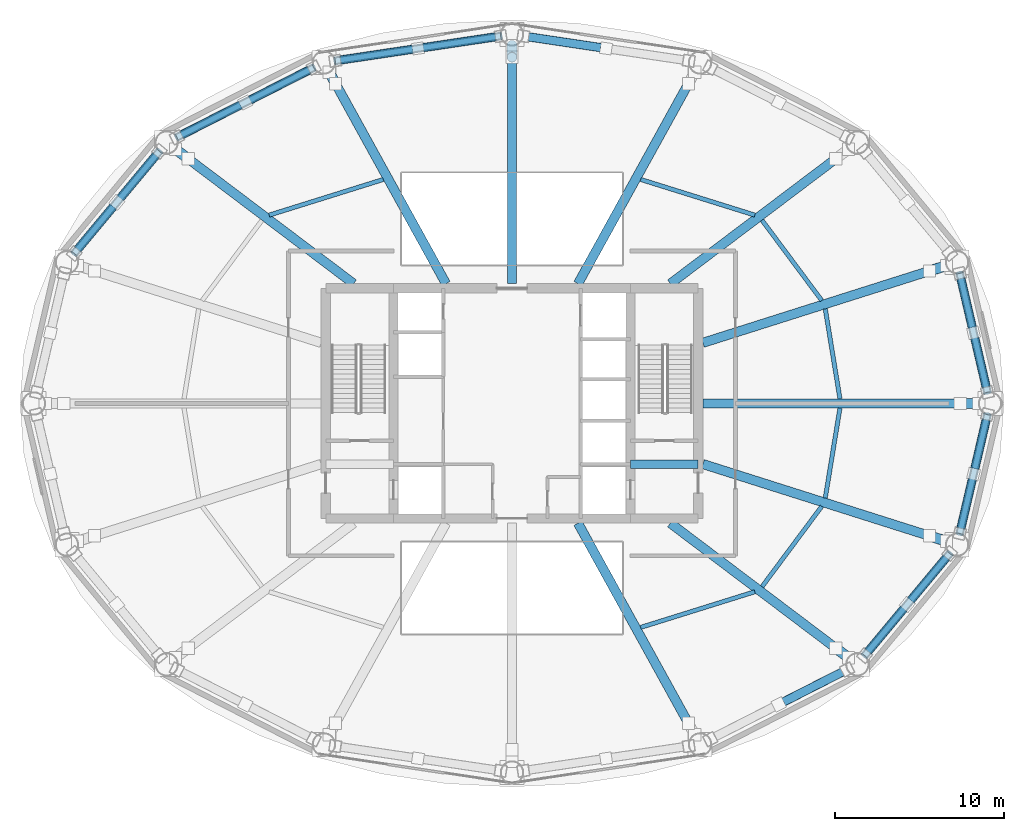
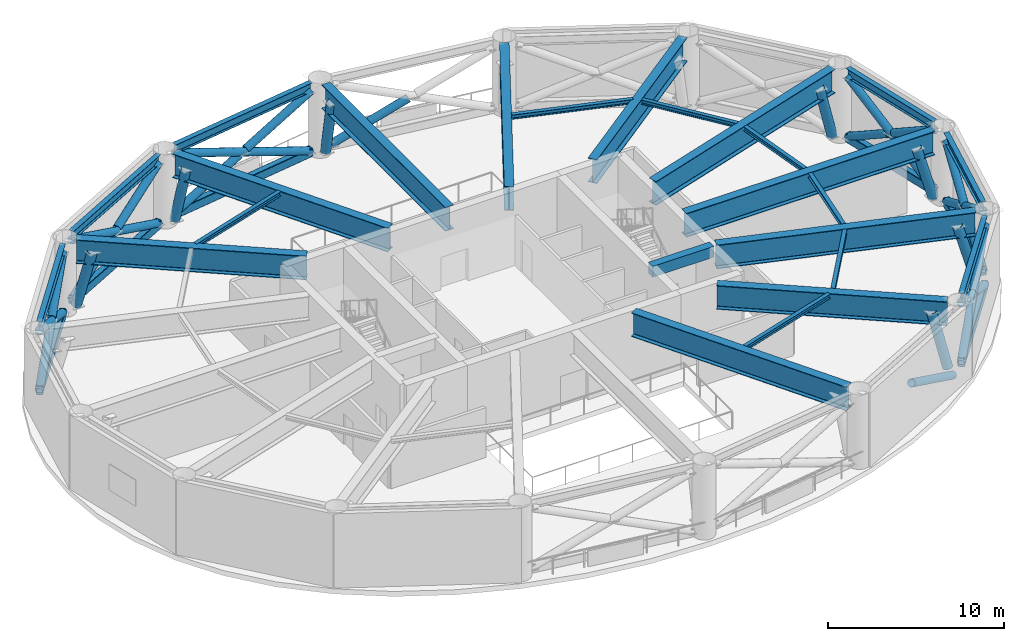
# One storey, part 2 of 8: 33 members, 24 beams.
"""IFC4 building model written with IfcOpenShell, lengths in metres."""

from ifc_helpers import new_model, si_unit, direction, frame, origin, origin_2d, place, context, subcontext, project, spatial, rectangle, hollow_rectangle, hollow_circle, i_section, extrude, material, material_profile, profile_set, type_object, element, save


model = new_model("IFC4")

# Units and contexts
model_context = context("Model", 3, precision=1e-05, world=origin(), true_north=direction((0.0, 1.0)))
body_context = subcontext(model_context, "Body", "Model", "MODEL_VIEW")
ifc_project = project(units=[si_unit("LENGTHUNIT", "METRE"), si_unit("AREAUNIT", "SQUARE_METRE"), si_unit("VOLUMEUNIT", "CUBIC_METRE"), si_unit("PLANEANGLEUNIT", "RADIAN"), si_unit("MASSUNIT", "GRAM", prefix="KILO")], contexts=[model_context])

# Site, building, storey
site_placement = place(None, origin())
site = spatial("IfcSite", under=ifc_project, at=site_placement, CompositionType="ELEMENT")
building_placement = place(site_placement, origin())
building = spatial("IfcBuilding", under=site, at=building_placement, Name="Sarneth Arch Tower", CompositionType="ELEMENT")
storey_placement = place(building_placement, frame((0.0, 0.0, 145.199951171875)))
storey = spatial("IfcBuildingStorey", under=building, at=storey_placement, Name="L36", CompositionType="ELEMENT", Elevation=145.199951171875)

# Beams
ifc_material_1 = material(Name="Steel S355", Category="steel")
ifc_material_profile_1 = material_profile(ifc_material_1, i_section(OverallWidth=0.25390625, OverallDepth=0.305908203125, WebThickness=0.0087890625, FlangeThickness=0.0146484375, FilletRadius=0.014892578125, at=origin_2d()), Name="W310x79")
ifc_profile_set_1 = profile_set([ifc_material_profile_1], Name="Steel S355")
beam_type_1 = type_object("IfcBeamType", Name="BM-JOIST-310A", PredefinedType="JOIST", material=ifc_profile_set_1)
beam_1_placement = place(storey_placement, frame((67.3740234375, 42.271484375, 4.9970703125), z_axis=(-0.161201265752, 0.986921553073, 0.0), x_axis=(-0.986921553073, -0.161201265752, 0.0)))
element("IfcBeam", 1, at=beam_1_placement, inside=storey, type_object=beam_type_1, Name="L36 Secondary floor joist 01", PredefinedType="JOIST", context=body_context, shape_type="SweptSolid", body=[
    extrude(i_section(OverallWidth=0.25390625, OverallDepth=0.305908203125, WebThickness=0.0087890625, FlangeThickness=0.0146484375, FilletRadius=0.014892578125, at=origin_2d()), origin(), (0.0, 0.0, 1.0), 5.38720703125),
])
beam_2_placement = place(storey_placement, frame((66.29736328125, 48.080078125, 4.9970703125), z_axis=(-0.596781909814, 0.802403484613, 0.0), x_axis=(-0.802403484613, -0.596781909814, 0.0)))
element("IfcBeam", 2, at=beam_2_placement, inside=storey, type_object=beam_type_1, Name="L36 Secondary floor joist 02", PredefinedType="JOIST", context=body_context, shape_type="SweptSolid", body=[
    extrude(i_section(OverallWidth=0.25390625, OverallDepth=0.305908203125, WebThickness=0.0087890625, FlangeThickness=0.0146484375, FilletRadius=0.014892578125, at=origin_2d()), origin(), (0.0, 0.0, 1.0), 5.908203125),
])
for number, where, z_axis, x_axis, name in (
    (3, (62.344970703125, 53.12353515625, 4.9970703125), (-0.954477517683, 0.298282866148, 0.0), (-0.298282866148, -0.954477517683, 0.0), "L36 Secondary floor joist 03"),
    (4, (40.396240234375, 55.230224609375, 4.9970703125), (-0.954477517683, -0.298282866148, 0.0), (0.298282866148, -0.954477517683, 0.0), "L36 Secondary floor joist 06"),
    (5, (55.603759765625, 28.769775390625, 4.9970703125), (0.954477517683, 0.298282866148, 0.0), (-0.298282866148, 0.954477517683, 0.0), "L36 Secondary floor joist 14"),
):
    element("IfcBeam", number, at=place(storey_placement, frame(where, z_axis=z_axis, x_axis=x_axis)), inside=storey, type_object=beam_type_1, Name=name, PredefinedType="JOIST", context=body_context, shape_type="SweptSolid", body=[
        extrude(i_section(OverallWidth=0.25390625, OverallDepth=0.305908203125, WebThickness=0.0087890625, FlangeThickness=0.0146484375, FilletRadius=0.014892578125, at=origin_2d()), origin(), (0.0, 0.0, 1.0), 7.062744140625),
    ])
beam_3_placement = place(storey_placement, frame((62.771484375, 31.17919921875, 4.9970703125), z_axis=(0.596781909814, 0.802403484613, 0.0), x_axis=(-0.802403484613, 0.596781909814, 0.0)))
element("IfcBeam", 6, at=beam_3_placement, inside=storey, type_object=beam_type_1, Name="L36 Secondary floor joist 15", PredefinedType="JOIST", context=body_context, shape_type="SweptSolid", body=[
    extrude(i_section(OverallWidth=0.25390625, OverallDepth=0.305908203125, WebThickness=0.0087890625, FlangeThickness=0.0146484375, FilletRadius=0.014892578125, at=origin_2d()), origin(), (0.0, 0.0, 1.0), 5.908203125),
])
beam_4_placement = place(storey_placement, frame((66.505615234375, 36.411865234375, 4.9970703125), z_axis=(0.161201265752, 0.986921553073, 0.0), x_axis=(-0.986921553073, 0.161201265752, 0.0)))
element("IfcBeam", 7, at=beam_4_placement, inside=storey, type_object=beam_type_1, Name="L36 Secondary floor joist 16", PredefinedType="JOIST", context=body_context, shape_type="SweptSolid", body=[
    extrude(i_section(OverallWidth=0.25390625, OverallDepth=0.305908203125, WebThickness=0.0087890625, FlangeThickness=0.0146484375, FilletRadius=0.014892578125, at=origin_2d()), origin(), (0.0, 0.0, 1.0), 5.38720703125),
])
ifc_material_2 = material(Name="Concrete C50/60", Category="concrete")
ifc_material_profile_2 = material_profile(ifc_material_2, rectangle(XDim=0.5, YDim=0.75, at=origin_2d()), Name="RC-500x750")
ifc_profile_set_2 = profile_set([ifc_material_profile_2], Name="Concrete C50/60")
beam_type_2 = type_object("IfcBeamType", Name="BM-LINTEL-RC", PredefinedType="LINTEL", material=ifc_profile_set_2)
beam_5_placement = place(storey_placement, frame((55.0, 38.39990234375, 4.775146484375), z_axis=(1.0, 0.0, 0.0), x_axis=(0.0, 1.0, 0.0)))
element("IfcBeam", 8, at=beam_5_placement, inside=storey, type_object=beam_type_2, Name="L36 Core coupling lintel E", PredefinedType="LINTEL", context=body_context, shape_type="SweptSolid", body=[
    extrude(rectangle(XDim=0.5, YDim=0.75, at=origin_2d()), origin(), (0.0, 0.0, 1.0), 4.0),
])
ifc_material_3 = material(Name="Steel S355", Category="steel")
ifc_material_profile_3 = material_profile(ifc_material_3, i_section(OverallWidth=0.323974609375, OverallDepth=0.611083984375, WebThickness=0.0126953125, FlangeThickness=0.01904296875, FilletRadius=0.01904296875, at=origin_2d()), Name="W610x155")
ifc_profile_set_3 = profile_set([ifc_material_profile_3], Name="Steel S355")
beam_type_3 = type_object("IfcBeamType", Name="BM-SPAN-610B", PredefinedType="SPANDREL", material=ifc_profile_set_3)
beam_6_placement = place(storey_placement, frame((76.083251953125, 42.657470703125, 4.844482421875), z_axis=(-0.22708522689, 0.973874889156, 0.0), x_axis=(-0.973874889156, -0.22708522689, 0.0)))
element("IfcBeam", 9, at=beam_6_placement, inside=storey, type_object=beam_type_3, Name="L36 Perimeter spandrel beam 01", PredefinedType="SPANDREL", context=body_context, shape_type="SweptSolid", body=[
    extrude(i_section(OverallWidth=0.323974609375, OverallDepth=0.611083984375, WebThickness=0.0126953125, FlangeThickness=0.01904296875, FilletRadius=0.01904296875, at=origin_2d()), origin(), (0.0, 0.0, 1.0), 7.216064453125),
])
beam_7_placement = place(storey_placement, frame((47.33251953125, 63.7001953125, 4.844482421875), z_axis=(-0.989029828744, -0.147715936359, 0.0), x_axis=(0.147715936359, -0.989029828744, 0.0)))
element("IfcBeam", 10, at=beam_7_placement, inside=storey, type_object=beam_type_3, Name="L36 Perimeter spandrel beam 05", PredefinedType="SPANDREL", context=body_context, shape_type="SweptSolid", body=[
    extrude(i_section(OverallWidth=0.323974609375, OverallDepth=0.611083984375, WebThickness=0.0126953125, FlangeThickness=0.01904296875, FilletRadius=0.01904296875, at=origin_2d()), origin(), (0.0, 0.0, 1.0), 9.883544921875),
])
beam_8_placement = place(storey_placement, frame((36.2880859375, 61.83447265625, 4.844482421875), z_axis=(-0.891255891792, -0.453500755619, 0.0), x_axis=(0.453500755619, -0.891255891792, 0.0)))
element("IfcBeam", 11, at=beam_8_placement, inside=storey, type_object=beam_type_3, Name="L36 Perimeter spandrel beam 06", PredefinedType="SPANDREL", context=body_context, shape_type="SweptSolid", body=[
    extrude(i_section(OverallWidth=0.323974609375, OverallDepth=0.611083984375, WebThickness=0.0126953125, FlangeThickness=0.01904296875, FilletRadius=0.01904296875, at=origin_2d()), origin(), (0.0, 0.0, 1.0), 9.070556640625),
])
for number, where, z_axis, x_axis, name in (
    (12, (27.170166015625, 56.896484375, 4.844482421875), (-0.640169116175, -0.768234015581, 0.0), (0.768234015581, -0.640169116175, 0.0), "L36 Perimeter spandrel beam 07"),
    (13, (68.829833984375, 27.103515625, 4.844482421875), (0.640169116175, 0.768234015581, 0.0), (-0.768234015581, 0.640169116175, 0.0), "L36 Perimeter spandrel beam 15"),
):
    element("IfcBeam", number, at=place(storey_placement, frame(where, z_axis=z_axis, x_axis=x_axis)), inside=storey, type_object=beam_type_3, Name=name, PredefinedType="SPANDREL", context=body_context, shape_type="SweptSolid", body=[
        extrude(i_section(OverallWidth=0.323974609375, OverallDepth=0.611083984375, WebThickness=0.0126953125, FlangeThickness=0.01904296875, FilletRadius=0.01904296875, at=origin_2d()), origin(), (0.0, 0.0, 1.0), 7.856201171875),
    ])
beam_9_placement = place(storey_placement, frame((74.444580078125, 34.31494140625, 4.844482421875), z_axis=(0.22708522689, 0.973874889156, 0.0), x_axis=(-0.973874889156, 0.22708522689, 0.0)))
element("IfcBeam", 14, at=beam_9_placement, inside=storey, type_object=beam_type_3, Name="L36 Perimeter spandrel beam 16", PredefinedType="SPANDREL", context=body_context, shape_type="SweptSolid", body=[
    extrude(i_section(OverallWidth=0.323974609375, OverallDepth=0.611083984375, WebThickness=0.0126953125, FlangeThickness=0.01904296875, FilletRadius=0.01904296875, at=origin_2d()), origin(), (0.0, 0.0, 1.0), 7.216064453125),
])
ifc_material_4 = material(Name="Steel S355", Category="steel")
ifc_material_profile_4 = material_profile(ifc_material_4, i_section(OverallWidth=0.550048828125, OverallDepth=1.64990234375, WebThickness=0.02197265625, FlangeThickness=0.0380859375, FilletRadius=0.02392578125, at=origin_2d()), Name="CVS1650x680")
ifc_profile_set_4 = profile_set([ifc_material_profile_4], Name="Steel S355")
beam_type_4 = type_object("IfcBeamType", Name="BM-XFER-1650", PredefinedType="BEAM", material=ifc_profile_set_4)
beam_10_placement = place(storey_placement, frame((59.27490234375, 42.0, 4.324951171875), z_axis=(1.0, 0.0, 0.0), x_axis=(0.0, 1.0, 0.0)))
element("IfcBeam", 15, at=beam_10_placement, inside=storey, type_object=beam_type_4, Name="L36 Step-taper transfer girder 01", PredefinedType="BEAM", context=body_context, shape_type="SweptSolid", body=[
    extrude(i_section(OverallWidth=0.550048828125, OverallDepth=1.64990234375, WebThickness=0.02197265625, FlangeThickness=0.0380859375, FilletRadius=0.02392578125, at=origin_2d()), origin(), (0.0, 0.0, 1.0), 16.28662109375),
])
beam_11_placement = place(storey_placement, frame((59.27490234375, 45.580322265625, 4.324951171875), z_axis=(0.953213910786, 0.30229660978, 0.0), x_axis=(-0.30229660978, 0.953213910786, 0.0)))
element("IfcBeam", 16, at=beam_11_placement, inside=storey, type_object=beam_type_4, Name="L36 Step-taper transfer girder 02", PredefinedType="BEAM", context=body_context, shape_type="SweptSolid", body=[
    extrude(i_section(OverallWidth=0.550048828125, OverallDepth=1.64990234375, WebThickness=0.02197265625, FlangeThickness=0.0380859375, FilletRadius=0.02392578125, at=origin_2d()), origin(), (0.0, 0.0, 1.0), 15.078369140625),
])
beam_12_placement = place(storey_placement, frame((57.355712890625, 49.074951171875, 4.324951171875), z_axis=(0.797970005378, 0.60269716319, 0.0), x_axis=(-0.60269716319, 0.797970005378, 0.0)))
element("IfcBeam", 17, at=beam_12_placement, inside=storey, type_object=beam_type_4, Name="L36 Step-taper transfer girder 03", PredefinedType="BEAM", context=body_context, shape_type="SweptSolid", body=[
    extrude(i_section(OverallWidth=0.550048828125, OverallDepth=1.64990234375, WebThickness=0.02197265625, FlangeThickness=0.0380859375, FilletRadius=0.02392578125, at=origin_2d()), origin(), (0.0, 0.0, 1.0), 13.16259765625),
])
beam_13_placement = place(storey_placement, frame((51.898681640625, 49.074951171875, 4.324951171875), z_axis=(0.483236322363, 0.875489952397, 0.0), x_axis=(-0.875489952397, 0.483236322363, 0.0)))
element("IfcBeam", 18, at=beam_13_placement, inside=storey, type_object=beam_type_4, Name="L36 Step-taper transfer girder 04", PredefinedType="BEAM", context=body_context, shape_type="SweptSolid", body=[
    extrude(i_section(OverallWidth=0.550048828125, OverallDepth=1.64990234375, WebThickness=0.02197265625, FlangeThickness=0.0380859375, FilletRadius=0.02392578125, at=origin_2d()), origin(), (0.0, 0.0, 1.0), 14.248779296875),
])
beam_14_placement = place(storey_placement, frame((48.0, 49.074951171875, 4.324951171875), z_axis=(0.0, 1.0, 0.0), x_axis=(-1.0, 0.0, 0.0)))
element("IfcBeam", 19, at=beam_14_placement, inside=storey, type_object=beam_type_4, Name="L36 Step-taper transfer girder 05", PredefinedType="BEAM", context=body_context, shape_type="SweptSolid", body=[
    extrude(i_section(OverallWidth=0.550048828125, OverallDepth=1.64990234375, WebThickness=0.02197265625, FlangeThickness=0.0380859375, FilletRadius=0.02392578125, at=origin_2d()), origin(), (0.0, 0.0, 1.0), 14.050048828125),
])
beam_15_placement = place(storey_placement, frame((44.101318359375, 49.074951171875, 4.324951171875), z_axis=(-0.483236322363, 0.875489952397, 0.0), x_axis=(-0.875489952397, -0.483236322363, 0.0)))
element("IfcBeam", 20, at=beam_15_placement, inside=storey, type_object=beam_type_4, Name="L36 Step-taper transfer girder 06", PredefinedType="BEAM", context=body_context, shape_type="SweptSolid", body=[
    extrude(i_section(OverallWidth=0.550048828125, OverallDepth=1.64990234375, WebThickness=0.02197265625, FlangeThickness=0.0380859375, FilletRadius=0.02392578125, at=origin_2d()), origin(), (0.0, 0.0, 1.0), 14.248779296875),
])
beam_16_placement = place(storey_placement, frame((38.644287109375, 49.074951171875, 4.324951171875), z_axis=(-0.797970005378, 0.60269716319, 0.0), x_axis=(-0.60269716319, -0.797970005378, 0.0)))
element("IfcBeam", 21, at=beam_16_placement, inside=storey, type_object=beam_type_4, Name="L36 Step-taper transfer girder 07", PredefinedType="BEAM", context=body_context, shape_type="SweptSolid", body=[
    extrude(i_section(OverallWidth=0.550048828125, OverallDepth=1.64990234375, WebThickness=0.02197265625, FlangeThickness=0.0380859375, FilletRadius=0.02392578125, at=origin_2d()), origin(), (0.0, 0.0, 1.0), 13.16259765625),
])
beam_17_placement = place(storey_placement, frame((51.898681640625, 34.925048828125, 4.324951171875), z_axis=(0.483236322363, -0.875489952397, 0.0), x_axis=(0.875489952397, 0.483236322363, 0.0)))
element("IfcBeam", 22, at=beam_17_placement, inside=storey, type_object=beam_type_4, Name="L36 Step-taper transfer girder 14", PredefinedType="BEAM", context=body_context, shape_type="SweptSolid", body=[
    extrude(i_section(OverallWidth=0.550048828125, OverallDepth=1.64990234375, WebThickness=0.02197265625, FlangeThickness=0.0380859375, FilletRadius=0.02392578125, at=origin_2d()), origin(), (0.0, 0.0, 1.0), 14.248779296875),
])
beam_18_placement = place(storey_placement, frame((57.355712890625, 34.925048828125, 4.324951171875), z_axis=(0.797970005378, -0.60269716319, 0.0), x_axis=(0.60269716319, 0.797970005378, 0.0)))
element("IfcBeam", 23, at=beam_18_placement, inside=storey, type_object=beam_type_4, Name="L36 Step-taper transfer girder 15", PredefinedType="BEAM", context=body_context, shape_type="SweptSolid", body=[
    extrude(i_section(OverallWidth=0.550048828125, OverallDepth=1.64990234375, WebThickness=0.02197265625, FlangeThickness=0.0380859375, FilletRadius=0.02392578125, at=origin_2d()), origin(), (0.0, 0.0, 1.0), 13.16259765625),
])
beam_19_placement = place(storey_placement, frame((59.27490234375, 38.419677734375, 4.324951171875), z_axis=(0.953213910786, -0.30229660978, 0.0), x_axis=(0.30229660978, 0.953213910786, 0.0)))
element("IfcBeam", 24, at=beam_19_placement, inside=storey, type_object=beam_type_4, Name="L36 Step-taper transfer girder 16", PredefinedType="BEAM", context=body_context, shape_type="SweptSolid", body=[
    extrude(i_section(OverallWidth=0.550048828125, OverallDepth=1.64990234375, WebThickness=0.02197265625, FlangeThickness=0.0380859375, FilletRadius=0.02392578125, at=origin_2d()), origin(), (0.0, 0.0, 1.0), 15.078369140625),
])

# Members
ifc_material_5 = material(Name="Steel S355", Category="steel")
ifc_material_profile_5 = material_profile(ifc_material_5, hollow_rectangle(XDim=0.39990234375, YDim=0.60009765625, WallThickness=0.02197265625, InnerFilletRadius=0.032958984375, OuterFilletRadius=0.054931640625, at=origin_2d()), Name="RHS600x400x22")
ifc_profile_set_5 = profile_set([ifc_material_profile_5], Name="Steel S355")
member_type_1 = type_object("IfcMemberType", Name="MEM-BELT-CHORD", PredefinedType="CHORD", material=ifc_profile_set_5)
member_1_placement = place(storey_placement, frame((76.083251953125, 42.657470703125, 0.35009765625), z_axis=(-0.22708522689, 0.973874889156, 0.0), x_axis=(-0.973874889156, -0.22708522689, 0.0)))
element("IfcMember", 25, at=member_1_placement, inside=storey, type_object=member_type_1, Name="L36 Ring belt bottom chord 01", PredefinedType="CHORD", context=body_context, shape_type="SweptSolid", body=[
    extrude(hollow_rectangle(XDim=0.39990234375, YDim=0.60009765625, WallThickness=0.02197265625, InnerFilletRadius=0.032958984375, OuterFilletRadius=0.054931640625, at=origin_2d()), origin(), (0.0, 0.0, 1.0), 7.216064453125),
])
member_2_placement = place(storey_placement, frame((47.33251953125, 63.7001953125, 0.35009765625), z_axis=(-0.989029828744, -0.147715936359, 0.0), x_axis=(0.147715936359, -0.989029828744, 0.0)))
element("IfcMember", 26, at=member_2_placement, inside=storey, type_object=member_type_1, Name="L36 Ring belt bottom chord 05", PredefinedType="CHORD", context=body_context, shape_type="SweptSolid", body=[
    extrude(hollow_rectangle(XDim=0.39990234375, YDim=0.60009765625, WallThickness=0.02197265625, InnerFilletRadius=0.032958984375, OuterFilletRadius=0.054931640625, at=origin_2d()), origin(), (0.0, 0.0, 1.0), 9.883544921875),
])
member_3_placement = place(storey_placement, frame((36.2880859375, 61.83447265625, 0.35009765625), z_axis=(-0.891255891792, -0.453500755619, 0.0), x_axis=(0.453500755619, -0.891255891792, 0.0)))
element("IfcMember", 27, at=member_3_placement, inside=storey, type_object=member_type_1, Name="L36 Ring belt bottom chord 06", PredefinedType="CHORD", context=body_context, shape_type="SweptSolid", body=[
    extrude(hollow_rectangle(XDim=0.39990234375, YDim=0.60009765625, WallThickness=0.02197265625, InnerFilletRadius=0.032958984375, OuterFilletRadius=0.054931640625, at=origin_2d()), origin(), (0.0, 0.0, 1.0), 9.070556640625),
])
for number, where, z_axis, x_axis, name in (
    (28, (27.170166015625, 56.896484375, 0.35009765625), (-0.640169116175, -0.768234015581, 0.0), (0.768234015581, -0.640169116175, 0.0), "L36 Ring belt bottom chord 07"),
    (29, (68.829833984375, 27.103515625, 0.35009765625), (0.640169116175, 0.768234015581, 0.0), (-0.768234015581, 0.640169116175, 0.0), "L36 Ring belt bottom chord 15"),
):
    element("IfcMember", number, at=place(storey_placement, frame(where, z_axis=z_axis, x_axis=x_axis)), inside=storey, type_object=member_type_1, Name=name, PredefinedType="CHORD", context=body_context, shape_type="SweptSolid", body=[
        extrude(hollow_rectangle(XDim=0.39990234375, YDim=0.60009765625, WallThickness=0.02197265625, InnerFilletRadius=0.032958984375, OuterFilletRadius=0.054931640625, at=origin_2d()), origin(), (0.0, 0.0, 1.0), 7.856201171875),
    ])
member_4_placement = place(storey_placement, frame((74.444580078125, 34.31494140625, 0.35009765625), z_axis=(0.22708522689, 0.973874889156, 0.0), x_axis=(-0.973874889156, 0.22708522689, 0.0)))
element("IfcMember", 30, at=member_4_placement, inside=storey, type_object=member_type_1, Name="L36 Ring belt bottom chord 16", PredefinedType="CHORD", context=body_context, shape_type="SweptSolid", body=[
    extrude(hollow_rectangle(XDim=0.39990234375, YDim=0.60009765625, WallThickness=0.02197265625, InnerFilletRadius=0.032958984375, OuterFilletRadius=0.054931640625, at=origin_2d()), origin(), (0.0, 0.0, 1.0), 7.216064453125),
])
ifc_material_6 = material(Name="Steel S355", Category="steel")
ifc_material_profile_6 = material_profile(ifc_material_6, hollow_circle(Radius=0.304931640625, WallThickness=0.02001953125, at=origin_2d()), Name="CHS610x20")
ifc_profile_set_6 = profile_set([ifc_material_profile_6], Name="Steel S355")
member_type_2 = type_object("IfcMemberType", Name="MEM-BELT-DIAG1", PredefinedType="BRACE", material=ifc_profile_set_6)
member_5_placement = place(storey_placement, frame((75.58154296875, 42.0, 0.449951171875), z_axis=(-0.277277044453, 0.0, 0.960790008597), x_axis=(0.0, -1.0, 0.0)))
element("IfcMember", 31, at=member_5_placement, inside=storey, type_object=member_type_2, Name="L36 Step-taper inclined transfer strut 01", PredefinedType="BRACE", context=body_context, shape_type="SweptSolid", body=[
    extrude(hollow_circle(Radius=0.304931640625, WallThickness=0.02001953125, at=origin_2d()), origin(), (0.0, 0.0, 1.0), 3.947265625),
])
member_6_placement = place(storey_placement, frame((73.666748046875, 50.14453125, 0.449951171875), z_axis=(-0.255230227576, -0.080941785416, 0.963486356055), x_axis=(0.302295197577, -0.953214358642, 0.0)))
element("IfcMember", 32, at=member_6_placement, inside=storey, type_object=member_type_2, Name="L36 Step-taper inclined transfer strut 02", PredefinedType="BRACE", context=body_context, shape_type="SweptSolid", body=[
    extrude(hollow_circle(Radius=0.304931640625, WallThickness=0.02001953125, at=origin_2d()), origin(), (0.0, 0.0, 1.0), 3.936279296875),
])
member_7_placement = place(storey_placement, frame((48.0, 63.14501953125, 0.449951171875), z_axis=(0.0, -0.180272733501, 0.983616663928), x_axis=(1.0, 0.0, 0.0)))
element("IfcMember", 33, at=member_7_placement, inside=storey, type_object=member_type_2, Name="L36 Step-taper inclined transfer strut 05", PredefinedType="BRACE", context=body_context, shape_type="SweptSolid", body=[
    extrude(hollow_circle(Radius=0.304931640625, WallThickness=0.02001953125, at=origin_2d()), origin(), (0.0, 0.0, 1.0), 3.855712890625),
])
member_8_placement = place(storey_placement, frame((37.206298828125, 61.567138671875, 0.449951171875), z_axis=(0.096084544586, -0.174125635626, 0.980024501382), x_axis=(0.875545294298, 0.483136044643, 0.0)))
element("IfcMember", 34, at=member_8_placement, inside=storey, type_object=member_type_2, Name="L36 Step-taper inclined transfer strut 06", PredefinedType="BRACE", context=body_context, shape_type="SweptSolid", body=[
    extrude(hollow_circle(Radius=0.304931640625, WallThickness=0.02001953125, at=origin_2d()), origin(), (0.0, 0.0, 1.0), 3.869873046875),
])
for number, where, z_axis, x_axis, name in (
    (35, (28.125, 57.020263671875, 0.449951171875), (0.189831474095, -0.143374034948, 0.971291870421), (0.602688067881, 0.797976874874, 0.0), "L36 Step-taper inclined transfer strut 07"),
    (36, (67.875, 26.979736328125, 0.449951171875), (-0.189831474095, 0.143374034948, 0.971291870421), (-0.602688067881, -0.797976874874, 0.0), "L36 Step-taper inclined transfer strut 15"),
):
    element("IfcMember", number, at=place(storey_placement, frame(where, z_axis=z_axis, x_axis=x_axis)), inside=storey, type_object=member_type_2, Name=name, PredefinedType="BRACE", context=body_context, shape_type="SweptSolid", body=[
        extrude(hollow_circle(Radius=0.304931640625, WallThickness=0.02001953125, at=origin_2d()), origin(), (0.0, 0.0, 1.0), 3.904541015625),
    ])
member_9_placement = place(storey_placement, frame((73.666748046875, 33.85546875, 0.449951171875), z_axis=(-0.255230227576, 0.080941785416, 0.963486356055), x_axis=(-0.302295197577, -0.953214358642, 0.0)))
element("IfcMember", 37, at=member_9_placement, inside=storey, type_object=member_type_2, Name="L36 Step-taper inclined transfer strut 16", PredefinedType="BRACE", context=body_context, shape_type="SweptSolid", body=[
    extrude(hollow_circle(Radius=0.304931640625, WallThickness=0.02001953125, at=origin_2d()), origin(), (0.0, 0.0, 1.0), 3.936279296875),
])
ifc_material_7 = material(Name="Steel S355", Category="steel")
ifc_material_profile_7 = material_profile(ifc_material_7, hollow_circle(Radius=0.25390625, WallThickness=0.01611328125, at=origin_2d()), Name="CHS508x16")
ifc_profile_set_7 = profile_set([ifc_material_profile_7], Name="Steel S355")
member_type_3 = type_object("IfcMemberType", Name="MEM-BELT-DIAG2", PredefinedType="BRACE", material=ifc_profile_set_7)
member_10_placement = place(storey_placement, frame((76.083251953125, 42.657470703125, 0.35009765625), z_axis=(-0.196629444364, 0.843262597738, 0.500244992843), x_axis=(-0.973874889156, -0.22708522689, 0.0)))
element("IfcMember", 38, at=member_10_placement, inside=storey, type_object=member_type_3, Name="L36 Ring belt continuous diagonal A01", PredefinedType="BRACE", context=body_context, shape_type="SweptSolid", body=[
    extrude(hollow_circle(Radius=0.25390625, WallThickness=0.01611328125, at=origin_2d()), origin(), (0.0, 0.0, 1.0), 8.333740234375),
])
for number, where, z_axis, x_axis, name in (
    (39, (74.444580078125, 49.68505859375, 0.35009765625), (0.196648781905, -0.843252415337, 0.500254555806), (0.973869343479, 0.227109008698, 0.0), "L36 Ring belt split diagonal B1-01"),
    (40, (75.31298828125, 45.96044921875, 2.5595703125), (0.196648781905, -0.843252415337, 0.500254555806), (0.973869343479, 0.227109008698, 0.0), "L36 Ring belt split diagonal B2-01"),
):
    element("IfcMember", number, at=place(storey_placement, frame(where, z_axis=z_axis, x_axis=x_axis)), inside=storey, type_object=member_type_3, Name=name, PredefinedType="BRACE", context=body_context, shape_type="SweptSolid", body=[
        extrude(hollow_circle(Radius=0.25390625, WallThickness=0.01611328125, at=origin_2d()), origin(), (0.0, 0.0, 1.0), 3.9169921875),
    ])
member_11_placement = place(storey_placement, frame((48.66748046875, 63.7001953125, 0.35009765625), z_axis=(0.911288731518, -0.136070251209, 0.388635735032), x_axis=(0.147679085035, 0.989035331949, 0.0)))
element("IfcMember", 41, at=member_11_placement, inside=storey, type_object=member_type_3, Name="L36 Ring belt split diagonal B1-04", PredefinedType="BRACE", context=body_context, shape_type="SweptSolid", body=[
    extrude(hollow_circle(Radius=0.25390625, WallThickness=0.01611328125, at=origin_2d()), origin(), (0.0, 0.0, 1.0), 5.113525390625),
])
member_12_placement = place(storey_placement, frame((47.33251953125, 63.7001953125, 0.35009765625), z_axis=(-0.91127929484, -0.136103553614, 0.388646200921), x_axis=(0.147715936359, -0.989029828744, 0.0)))
element("IfcMember", 42, at=member_12_placement, inside=storey, type_object=member_type_3, Name="L36 Ring belt continuous diagonal A05", PredefinedType="BRACE", context=body_context, shape_type="SweptSolid", body=[
    extrude(hollow_circle(Radius=0.25390625, WallThickness=0.01611328125, at=origin_2d()), origin(), (0.0, 0.0, 1.0), 10.726806640625),
])
member_13_placement = place(storey_placement, frame((37.557373046875, 62.240234375, 0.35009765625), z_axis=(0.911274714208, 0.136123033124, 0.388650119127), x_axis=(-0.147737342868, 0.989026631351, 0.0)))
element("IfcMember", 43, at=member_13_placement, inside=storey, type_object=member_type_3, Name="L36 Ring belt split diagonal B1-05", PredefinedType="BRACE", context=body_context, shape_type="SweptSolid", body=[
    extrude(hollow_circle(Radius=0.25390625, WallThickness=0.01611328125, at=origin_2d()), origin(), (0.0, 0.0, 1.0), 5.11328125),
])
member_14_placement = place(storey_placement, frame((42.672607421875, 63.00439453125, 2.53173828125), z_axis=(0.911288731518, 0.136070251209, 0.388635735032), x_axis=(-0.147679085035, 0.989035331949, 0.0)))
element("IfcMember", 44, at=member_14_placement, inside=storey, type_object=member_type_3, Name="L36 Ring belt split diagonal B2-05", PredefinedType="BRACE", context=body_context, shape_type="SweptSolid", body=[
    extrude(hollow_circle(Radius=0.25390625, WallThickness=0.01611328125, at=origin_2d()), origin(), (0.0, 0.0, 1.0), 5.113525390625),
])
member_15_placement = place(storey_placement, frame((36.2880859375, 61.83447265625, 0.35009765625), z_axis=(-0.809817152588, -0.412062005978, 0.417613556537), x_axis=(0.453500755619, -0.891255891792, 0.0)))
element("IfcMember", 45, at=member_15_placement, inside=storey, type_object=member_type_3, Name="L36 Ring belt continuous diagonal A06", PredefinedType="BRACE", context=body_context, shape_type="SweptSolid", body=[
    extrude(hollow_circle(Radius=0.25390625, WallThickness=0.01611328125, at=origin_2d()), origin(), (0.0, 0.0, 1.0), 9.982666015625),
])
member_16_placement = place(storey_placement, frame((28.203857421875, 57.720947265625, 0.35009765625), z_axis=(0.809829068999, 0.412071594557, 0.417580986113), x_axis=(-0.453503837285, 0.89125432373, 0.0)))
element("IfcMember", 46, at=member_16_placement, inside=storey, type_object=member_type_3, Name="L36 Ring belt split diagonal B1-06", PredefinedType="BRACE", context=body_context, shape_type="SweptSolid", body=[
    extrude(hollow_circle(Radius=0.25390625, WallThickness=0.01611328125, at=origin_2d()), origin(), (0.0, 0.0, 1.0), 4.741455078125),
])
member_17_placement = place(storey_placement, frame((32.448486328125, 59.880859375, 2.5390625), z_axis=(0.809828529359, 0.412046028609, 0.417607259687), x_axis=(-0.453481727105, 0.891265573879, 0.0)))
element("IfcMember", 47, at=member_17_placement, inside=storey, type_object=member_type_3, Name="L36 Ring belt split diagonal B2-06", PredefinedType="BRACE", context=body_context, shape_type="SweptSolid", body=[
    extrude(hollow_circle(Radius=0.25390625, WallThickness=0.01611328125, at=origin_2d()), origin(), (0.0, 0.0, 1.0), 4.7412109375),
])
member_18_placement = place(storey_placement, frame((27.170166015625, 56.896484375, 0.35009765625), z_axis=(-0.56548235533, -0.678606276995, 0.468746441729), x_axis=(0.768234015581, -0.640169116175, 0.0)))
element("IfcMember", 48, at=member_18_placement, inside=storey, type_object=member_type_3, Name="L36 Ring belt continuous diagonal A07", PredefinedType="BRACE", context=body_context, shape_type="SweptSolid", body=[
    extrude(hollow_circle(Radius=0.25390625, WallThickness=0.01611328125, at=origin_2d()), origin(), (0.0, 0.0, 1.0), 8.893798828125),
])
member_19_placement = place(storey_placement, frame((22.140869140625, 50.861083984375, 0.35009765625), z_axis=(0.565498099482, 0.678586084812, 0.468756679933), x_axis=(-0.768215881498, 0.640190877329, 0.0)))
element("IfcMember", 49, at=member_19_placement, inside=storey, type_object=member_type_3, Name="L36 Ring belt split diagonal B1-07", PredefinedType="BRACE", context=body_context, shape_type="SweptSolid", body=[
    extrude(hollow_circle(Radius=0.25390625, WallThickness=0.01611328125, at=origin_2d()), origin(), (0.0, 0.0, 1.0), 4.19677734375),
])
member_20_placement = place(storey_placement, frame((24.796875, 54.04833984375, 2.5517578125), z_axis=(0.565475776654, 0.678617468414, 0.468738175937), x_axis=(-0.768242870358, 0.640158489864, 0.0)))
element("IfcMember", 50, at=member_20_placement, inside=storey, type_object=member_type_3, Name="L36 Ring belt split diagonal B2-07", PredefinedType="BRACE", context=body_context, shape_type="SweptSolid", body=[
    extrude(hollow_circle(Radius=0.25390625, WallThickness=0.01611328125, at=origin_2d()), origin(), (0.0, 0.0, 1.0), 4.197021484375),
])
member_21_placement = place(storey_placement, frame((67.796142578125, 26.279052734375, 0.35009765625), z_axis=(-0.809829068999, -0.412071594557, 0.417580986113), x_axis=(0.453503837285, -0.89125432373, 0.0)))
element("IfcMember", 51, at=member_21_placement, inside=storey, type_object=member_type_3, Name="L36 Ring belt split diagonal B1-14", PredefinedType="BRACE", context=body_context, shape_type="SweptSolid", body=[
    extrude(hollow_circle(Radius=0.25390625, WallThickness=0.01611328125, at=origin_2d()), origin(), (0.0, 0.0, 1.0), 4.741455078125),
])
member_22_placement = place(storey_placement, frame((68.829833984375, 27.103515625, 0.35009765625), z_axis=(0.56548235533, 0.678606276995, 0.468746441729), x_axis=(-0.768234015581, 0.640169116175, 0.0)))
element("IfcMember", 52, at=member_22_placement, inside=storey, type_object=member_type_3, Name="L36 Ring belt continuous diagonal A15", PredefinedType="BRACE", context=body_context, shape_type="SweptSolid", body=[
    extrude(hollow_circle(Radius=0.25390625, WallThickness=0.01611328125, at=origin_2d()), origin(), (0.0, 0.0, 1.0), 8.893798828125),
])
member_23_placement = place(storey_placement, frame((73.859130859375, 33.138916015625, 0.35009765625), z_axis=(-0.565498099482, -0.678586084812, 0.468756679933), x_axis=(0.768215881498, -0.640190877329, 0.0)))
element("IfcMember", 53, at=member_23_placement, inside=storey, type_object=member_type_3, Name="L36 Ring belt split diagonal B1-15", PredefinedType="BRACE", context=body_context, shape_type="SweptSolid", body=[
    extrude(hollow_circle(Radius=0.25390625, WallThickness=0.01611328125, at=origin_2d()), origin(), (0.0, 0.0, 1.0), 4.19677734375),
])
member_24_placement = place(storey_placement, frame((71.203125, 29.95166015625, 2.5517578125), z_axis=(-0.565475776654, -0.678617468414, 0.468738175937), x_axis=(0.768242870358, -0.640158489864, 0.0)))
element("IfcMember", 54, at=member_24_placement, inside=storey, type_object=member_type_3, Name="L36 Ring belt split diagonal B2-15", PredefinedType="BRACE", context=body_context, shape_type="SweptSolid", body=[
    extrude(hollow_circle(Radius=0.25390625, WallThickness=0.01611328125, at=origin_2d()), origin(), (0.0, 0.0, 1.0), 4.197021484375),
])
member_25_placement = place(storey_placement, frame((74.444580078125, 34.31494140625, 0.35009765625), z_axis=(0.196629444364, 0.843262597738, 0.500244992843), x_axis=(-0.973874889156, 0.22708522689, 0.0)))
element("IfcMember", 55, at=member_25_placement, inside=storey, type_object=member_type_3, Name="L36 Ring belt continuous diagonal A16", PredefinedType="BRACE", context=body_context, shape_type="SweptSolid", body=[
    extrude(hollow_circle(Radius=0.25390625, WallThickness=0.01611328125, at=origin_2d()), origin(), (0.0, 0.0, 1.0), 8.333740234375),
])
for number, where, z_axis, x_axis, name in (
    (56, (76.083251953125, 41.342529296875, 0.35009765625), (-0.196648781905, -0.843252415337, 0.500254555806), (0.973869343479, -0.227109008698, 0.0), "L36 Ring belt split diagonal B1-16"),
    (57, (75.21484375, 37.617919921875, 2.5595703125), (-0.196648781905, -0.843252415337, 0.500254555806), (0.973869343479, -0.227109008698, 0.0), "L36 Ring belt split diagonal B2-16"),
):
    element("IfcMember", number, at=place(storey_placement, frame(where, z_axis=z_axis, x_axis=x_axis)), inside=storey, type_object=member_type_3, Name=name, PredefinedType="BRACE", context=body_context, shape_type="SweptSolid", body=[
        extrude(hollow_circle(Radius=0.25390625, WallThickness=0.01611328125, at=origin_2d()), origin(), (0.0, 0.0, 1.0), 3.9169921875),
    ])

save(model, "model.ifc")
